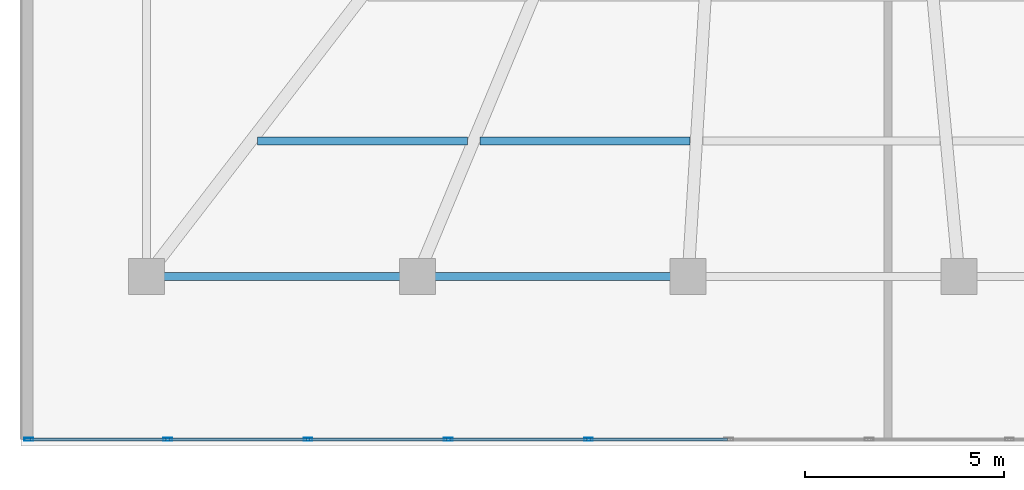
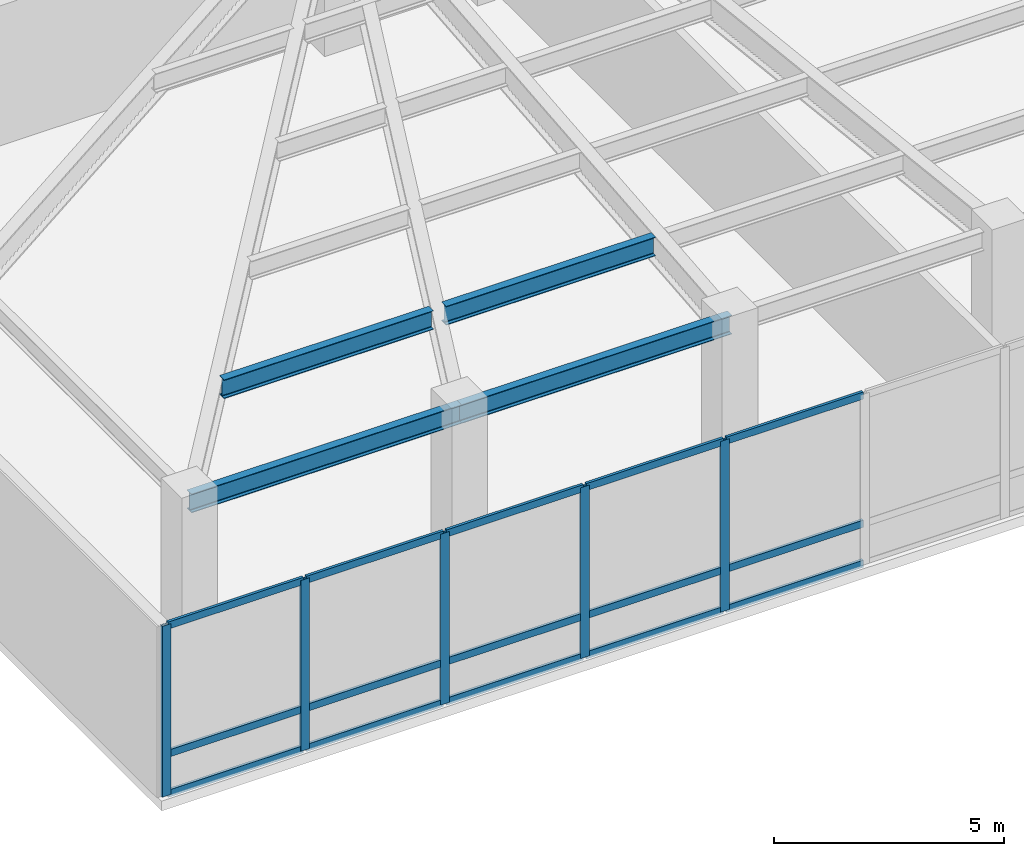
# One storey, part 2 of 19: 20 members, 4 beams, 1 element without a shape of its own.
"""IFC4 building model written with IfcOpenShell, lengths in metres."""

from ifc_helpers import new_model, si_unit, direction, frame, origin, origin_2d, place, context, subcontext, project, spatial, hollow_rectangle, i_section, extrude, material, material_profile, profile_set, type_object, element, aggregate, save


model = new_model("IFC4")

# Units and contexts
model_context = context("Model", 3, precision=1e-05, world=origin(), true_north=direction((0.0, 1.0)))
body_context = subcontext(model_context, "Body", "Model", "MODEL_VIEW")
ifc_project = project(units=[si_unit("LENGTHUNIT", "METRE"), si_unit("AREAUNIT", "SQUARE_METRE"), si_unit("VOLUMEUNIT", "CUBIC_METRE"), si_unit("PLANEANGLEUNIT", "RADIAN"), si_unit("MASSUNIT", "GRAM", prefix="KILO")], contexts=[model_context])

# Site, building, storey
site_placement = place(None, origin())
site = spatial("IfcSite", under=ifc_project, at=site_placement, CompositionType="ELEMENT")
building_placement = place(site_placement, origin())
building = spatial("IfcBuilding", under=site, at=building_placement, Name="Yelkora Congress Tower", CompositionType="ELEMENT")
storey_placement = place(building_placement, frame((0.0, 0.0, 15.60009765625)))
storey = spatial("IfcBuildingStorey", under=building, at=storey_placement, Name="L03", CompositionType="ELEMENT", Elevation=15.60009765625)

# Beams
ifc_material_1 = material(Name="Steel S355J2", Category="steel")
ifc_material_profile_1 = material_profile(ifc_material_1, i_section(OverallWidth=0.199951171875, OverallDepth=0.5, WebThickness=0.01025390625, FlangeThickness=0.01611328125, FilletRadius=0.02099609375, at=origin_2d()), Name="IPE 500")
ifc_profile_set_1 = profile_set([ifc_material_profile_1], Name="Steel S355J2")
beam_type_1 = type_object("IfcBeamType", Name="BM-JOIST-IPE500", PredefinedType="JOIST", material=ifc_profile_set_1)
beam_1_placement = place(storey_placement, frame((7.228759765625, 9.449951171875, 4.289794921875), z_axis=(1.0, 0.0, 0.0), x_axis=(0.0, 1.0, 0.0)))
element("IfcBeam", 1, at=beam_1_placement, inside=storey, type_object=beam_type_1, Name="L03 Composite Floor Joist 1", PredefinedType="JOIST", context=body_context, shape_type="SweptSolid", body=[
    extrude(i_section(OverallWidth=0.199951171875, OverallDepth=0.5, WebThickness=0.01025390625, FlangeThickness=0.01611328125, FilletRadius=0.02099609375, at=origin_2d()), origin(), (0.0, 0.0, 1.0), 5.2646484375),
])
beam_2_placement = place(storey_placement, frame((12.813232421875, 9.449951171875, 4.289794921875), z_axis=(1.0, 0.0, 0.0), x_axis=(0.0, 1.0, 0.0)))
element("IfcBeam", 2, at=beam_2_placement, inside=storey, type_object=beam_type_1, Name="L03 Composite Floor Joist 2", PredefinedType="JOIST", context=body_context, shape_type="SweptSolid", body=[
    extrude(i_section(OverallWidth=0.199951171875, OverallDepth=0.5, WebThickness=0.01025390625, FlangeThickness=0.01611328125, FilletRadius=0.02099609375, at=origin_2d()), origin(), (0.0, 0.0, 1.0), 5.264404296875),
])
ifc_material_profile_2 = material_profile(ifc_material_1, i_section(OverallWidth=0.199951171875, OverallDepth=0.5, WebThickness=0.01025390625, FlangeThickness=0.01611328125, FilletRadius=0.02099609375, at=origin_2d()), Name="IPE 500")
ifc_profile_set_2 = profile_set([ifc_material_profile_2], Name="Steel S355J2")
beam_type_2 = type_object("IfcBeamType", Name="BM-SPAN-IPE500B", PredefinedType="BEAM", material=ifc_profile_set_2)
for number, where, z_axis, x_axis, name in (
    (3, (4.449951171875, 6.050048828125, 4.289794921875), (1.0, 0.0, 0.0), (0.0, 1.0, 0.0), "L03 Perimeter Beam 2"),
    (4, (11.239990234375, 6.050048828125, 4.289794921875), (1.0, 0.0, 0.0), (0.0, 1.0, 0.0), "L03 Perimeter Beam 3"),
):
    element("IfcBeam", number, at=place(storey_placement, frame(where, z_axis=z_axis, x_axis=x_axis)), inside=storey, type_object=beam_type_2, Name=name, PredefinedType="BEAM", context=body_context, shape_type="SweptSolid", body=[
        extrude(i_section(OverallWidth=0.199951171875, OverallDepth=0.5, WebThickness=0.01025390625, FlangeThickness=0.01611328125, FilletRadius=0.02099609375, at=origin_2d()), origin(), (0.0, 0.0, 1.0), 6.7900390625),
    ])

# Curtain wall, members
ifc_material_2 = material(Name="Anodised aluminium and insulated glass", Category="aluminium")
curtain_wall_type = type_object("IfcCurtainWallType", Name="CW-SYS-POD", PredefinedType="NOTDEFINED", material=ifc_material_2)
curtain_wall_placement = place(storey_placement, origin())
curtain_wall = element("IfcCurtainWall", 5, at=curtain_wall_placement, inside=storey, type_object=curtain_wall_type, Name="L03 Podium South Curtain Wall", PredefinedType="NOTDEFINED")
ifc_material_3 = material(Name="Anodised aluminium 6063-T6", Category="aluminium")
ifc_material_profile_3 = material_profile(ifc_material_3, hollow_rectangle(XDim=0.074951171875, YDim=0.219970703125, WallThickness=0.0048828125, at=origin_2d()), Name="ALU 75x220x5")
ifc_profile_set_3 = profile_set([ifc_material_profile_3], Name="Anodised aluminium 6063-T6")
member_type_1 = type_object("IfcMemberType", Name="MEM-ML-POD", PredefinedType="MULLION", material=ifc_profile_set_3)
member_1_placement = place(storey_placement, frame((15.532470703125, 1.9599609375, 0.0), z_axis=(0.0, 0.0, 1.0), x_axis=(0.0, -1.0, 0.0)))
member_1 = element("IfcMember", 6, at=member_1_placement, type_object=member_type_1, Name="CW-POD mullion 18", PredefinedType="MULLION", context=body_context, shape_type="SweptSolid", body=[
    extrude(hollow_rectangle(XDim=0.074951171875, YDim=0.219970703125, WallThickness=0.0048828125, at=origin_2d()), origin(), (0.0, 0.0, 1.0), 4.539794921875),
])
member_2_placement = place(storey_placement, frame((12.014404296875, 1.9599609375, 0.0), z_axis=(0.0, 0.0, 1.0), x_axis=(0.0, -1.0, 0.0)))
member_2 = element("IfcMember", 7, at=member_2_placement, type_object=member_type_1, Name="CW-POD mullion 19", PredefinedType="MULLION", context=body_context, shape_type="SweptSolid", body=[
    extrude(hollow_rectangle(XDim=0.074951171875, YDim=0.219970703125, WallThickness=0.0048828125, at=origin_2d()), origin(), (0.0, 0.0, 1.0), 4.539794921875),
])
member_3_placement = place(storey_placement, frame((8.49609375, 1.9599609375, 0.0), z_axis=(0.0, 0.0, 1.0), x_axis=(0.0, -1.0, 0.0)))
member_3 = element("IfcMember", 8, at=member_3_placement, type_object=member_type_1, Name="CW-POD mullion 20", PredefinedType="MULLION", context=body_context, shape_type="SweptSolid", body=[
    extrude(hollow_rectangle(XDim=0.074951171875, YDim=0.219970703125, WallThickness=0.0048828125, at=origin_2d()), origin(), (0.0, 0.0, 1.0), 4.539794921875),
])
member_4_placement = place(storey_placement, frame((4.97802734375, 1.9599609375, 0.0), z_axis=(0.0, 0.0, 1.0), x_axis=(0.0, -1.0, 0.0)))
member_4 = element("IfcMember", 9, at=member_4_placement, type_object=member_type_1, Name="CW-POD mullion 21", PredefinedType="MULLION", context=body_context, shape_type="SweptSolid", body=[
    extrude(hollow_rectangle(XDim=0.074951171875, YDim=0.219970703125, WallThickness=0.0048828125, at=origin_2d()), origin(), (0.0, 0.0, 1.0), 4.539794921875),
])
member_5_placement = place(storey_placement, frame((1.49755859375, 1.9599609375, 0.0), z_axis=(0.0, 0.0, 1.0), x_axis=(0.0, -1.0, 0.0)))
member_5 = element("IfcMember", 10, at=member_5_placement, type_object=member_type_1, Name="CW-POD mullion 22", PredefinedType="MULLION", context=body_context, shape_type="SweptSolid", body=[
    extrude(hollow_rectangle(XDim=0.074951171875, YDim=0.219970703125, WallThickness=0.0048828125, at=origin_2d()), origin(), (0.0, 0.0, 1.0), 4.539794921875),
])
ifc_material_profile_4 = material_profile(ifc_material_3, hollow_rectangle(XDim=0.070068359375, YDim=0.18994140625, WallThickness=0.00390625, at=origin_2d()), Name="ALU 70x190x4")
ifc_profile_set_4 = profile_set([ifc_material_profile_4], Name="Anodised aluminium 6063-T6")
member_type_2 = type_object("IfcMemberType", Name="MEM-TR-POD", PredefinedType="USERDEFINED", material=ifc_profile_set_4)
member_6_placement = place(storey_placement, frame((19.012939453125, 1.9599609375, 0.034912109375), z_axis=(-1.0, 0.0, 0.0), x_axis=(0.0, -1.0, 0.0)))
member_6 = element("IfcMember", 11, at=member_6_placement, type_object=member_type_2, Name="CW-POD transom 17.1", ObjectType="TRANSOM", PredefinedType="USERDEFINED", context=body_context, shape_type="SweptSolid", body=[
    extrude(hollow_rectangle(XDim=0.070068359375, YDim=0.18994140625, WallThickness=0.00390625, at=origin_2d()), origin(), (0.0, 0.0, 1.0), 3.443115234375),
])
member_7_placement = place(storey_placement, frame((19.012939453125, 1.9599609375, 1.099853515625), z_axis=(-1.0, 0.0, 0.0), x_axis=(0.0, -1.0, 0.0)))
member_7 = element("IfcMember", 12, at=member_7_placement, type_object=member_type_2, Name="CW-POD transom 17.2", ObjectType="TRANSOM", PredefinedType="USERDEFINED", context=body_context, shape_type="SweptSolid", body=[
    extrude(hollow_rectangle(XDim=0.070068359375, YDim=0.18994140625, WallThickness=0.00390625, at=origin_2d()), origin(), (0.0, 0.0, 1.0), 3.443115234375),
])
member_8_placement = place(storey_placement, frame((19.012939453125, 1.9599609375, 4.5048828125), z_axis=(-1.0, 0.0, 0.0), x_axis=(0.0, -1.0, 0.0)))
member_8 = element("IfcMember", 13, at=member_8_placement, type_object=member_type_2, Name="CW-POD transom 17.3", ObjectType="TRANSOM", PredefinedType="USERDEFINED", context=body_context, shape_type="SweptSolid", body=[
    extrude(hollow_rectangle(XDim=0.070068359375, YDim=0.18994140625, WallThickness=0.00390625, at=origin_2d()), origin(), (0.0, 0.0, 1.0), 3.443115234375),
])
member_9_placement = place(storey_placement, frame((15.494873046875, 1.9599609375, 0.034912109375), z_axis=(-1.0, 0.0, 0.0), x_axis=(0.0, -1.0, 0.0)))
member_9 = element("IfcMember", 14, at=member_9_placement, type_object=member_type_2, Name="CW-POD transom 18.1", ObjectType="TRANSOM", PredefinedType="USERDEFINED", context=body_context, shape_type="SweptSolid", body=[
    extrude(hollow_rectangle(XDim=0.070068359375, YDim=0.18994140625, WallThickness=0.00390625, at=origin_2d()), origin(), (0.0, 0.0, 1.0), 3.443115234375),
])
member_10_placement = place(storey_placement, frame((15.494873046875, 1.9599609375, 1.099853515625), z_axis=(-1.0, 0.0, 0.0), x_axis=(0.0, -1.0, 0.0)))
member_10 = element("IfcMember", 15, at=member_10_placement, type_object=member_type_2, Name="CW-POD transom 18.2", ObjectType="TRANSOM", PredefinedType="USERDEFINED", context=body_context, shape_type="SweptSolid", body=[
    extrude(hollow_rectangle(XDim=0.070068359375, YDim=0.18994140625, WallThickness=0.00390625, at=origin_2d()), origin(), (0.0, 0.0, 1.0), 3.443115234375),
])
member_11_placement = place(storey_placement, frame((15.494873046875, 1.9599609375, 4.5048828125), z_axis=(-1.0, 0.0, 0.0), x_axis=(0.0, -1.0, 0.0)))
member_11 = element("IfcMember", 16, at=member_11_placement, type_object=member_type_2, Name="CW-POD transom 18.3", ObjectType="TRANSOM", PredefinedType="USERDEFINED", context=body_context, shape_type="SweptSolid", body=[
    extrude(hollow_rectangle(XDim=0.070068359375, YDim=0.18994140625, WallThickness=0.00390625, at=origin_2d()), origin(), (0.0, 0.0, 1.0), 3.443115234375),
])
member_12_placement = place(storey_placement, frame((11.976806640625, 1.9599609375, 0.034912109375), z_axis=(-1.0, 0.0, 0.0), x_axis=(0.0, -1.0, 0.0)))
member_12 = element("IfcMember", 17, at=member_12_placement, type_object=member_type_2, Name="CW-POD transom 19.1", ObjectType="TRANSOM", PredefinedType="USERDEFINED", context=body_context, shape_type="SweptSolid", body=[
    extrude(hollow_rectangle(XDim=0.070068359375, YDim=0.18994140625, WallThickness=0.00390625, at=origin_2d()), origin(), (0.0, 0.0, 1.0), 3.443115234375),
])
member_13_placement = place(storey_placement, frame((11.976806640625, 1.9599609375, 1.099853515625), z_axis=(-1.0, 0.0, 0.0), x_axis=(0.0, -1.0, 0.0)))
member_13 = element("IfcMember", 18, at=member_13_placement, type_object=member_type_2, Name="CW-POD transom 19.2", ObjectType="TRANSOM", PredefinedType="USERDEFINED", context=body_context, shape_type="SweptSolid", body=[
    extrude(hollow_rectangle(XDim=0.070068359375, YDim=0.18994140625, WallThickness=0.00390625, at=origin_2d()), origin(), (0.0, 0.0, 1.0), 3.443115234375),
])
member_14_placement = place(storey_placement, frame((11.976806640625, 1.9599609375, 4.5048828125), z_axis=(-1.0, 0.0, 0.0), x_axis=(0.0, -1.0, 0.0)))
member_14 = element("IfcMember", 19, at=member_14_placement, type_object=member_type_2, Name="CW-POD transom 19.3", ObjectType="TRANSOM", PredefinedType="USERDEFINED", context=body_context, shape_type="SweptSolid", body=[
    extrude(hollow_rectangle(XDim=0.070068359375, YDim=0.18994140625, WallThickness=0.00390625, at=origin_2d()), origin(), (0.0, 0.0, 1.0), 3.443115234375),
])
member_15_placement = place(storey_placement, frame((8.458740234375, 1.9599609375, 0.034912109375), z_axis=(-1.0, 0.0, 0.0), x_axis=(0.0, -1.0, 0.0)))
member_15 = element("IfcMember", 20, at=member_15_placement, type_object=member_type_2, Name="CW-POD transom 20.1", ObjectType="TRANSOM", PredefinedType="USERDEFINED", context=body_context, shape_type="SweptSolid", body=[
    extrude(hollow_rectangle(XDim=0.070068359375, YDim=0.18994140625, WallThickness=0.00390625, at=origin_2d()), origin(), (0.0, 0.0, 1.0), 3.443115234375),
])
member_16_placement = place(storey_placement, frame((8.458740234375, 1.9599609375, 1.099853515625), z_axis=(-1.0, 0.0, 0.0), x_axis=(0.0, -1.0, 0.0)))
member_16 = element("IfcMember", 21, at=member_16_placement, type_object=member_type_2, Name="CW-POD transom 20.2", ObjectType="TRANSOM", PredefinedType="USERDEFINED", context=body_context, shape_type="SweptSolid", body=[
    extrude(hollow_rectangle(XDim=0.070068359375, YDim=0.18994140625, WallThickness=0.00390625, at=origin_2d()), origin(), (0.0, 0.0, 1.0), 3.443115234375),
])
member_17_placement = place(storey_placement, frame((8.458740234375, 1.9599609375, 4.5048828125), z_axis=(-1.0, 0.0, 0.0), x_axis=(0.0, -1.0, 0.0)))
member_17 = element("IfcMember", 22, at=member_17_placement, type_object=member_type_2, Name="CW-POD transom 20.3", ObjectType="TRANSOM", PredefinedType="USERDEFINED", context=body_context, shape_type="SweptSolid", body=[
    extrude(hollow_rectangle(XDim=0.070068359375, YDim=0.18994140625, WallThickness=0.00390625, at=origin_2d()), origin(), (0.0, 0.0, 1.0), 3.443115234375),
])
member_18_placement = place(storey_placement, frame((4.940673828125, 1.9599609375, 0.034912109375), z_axis=(-1.0, 0.0, 0.0), x_axis=(0.0, -1.0, 0.0)))
member_18 = element("IfcMember", 23, at=member_18_placement, type_object=member_type_2, Name="CW-POD transom 21.1", ObjectType="TRANSOM", PredefinedType="USERDEFINED", context=body_context, shape_type="SweptSolid", body=[
    extrude(hollow_rectangle(XDim=0.070068359375, YDim=0.18994140625, WallThickness=0.00390625, at=origin_2d()), origin(), (0.0, 0.0, 1.0), 3.40576171875),
])
member_19_placement = place(storey_placement, frame((4.940673828125, 1.9599609375, 1.099853515625), z_axis=(-1.0, 0.0, 0.0), x_axis=(0.0, -1.0, 0.0)))
member_19 = element("IfcMember", 24, at=member_19_placement, type_object=member_type_2, Name="CW-POD transom 21.2", ObjectType="TRANSOM", PredefinedType="USERDEFINED", context=body_context, shape_type="SweptSolid", body=[
    extrude(hollow_rectangle(XDim=0.070068359375, YDim=0.18994140625, WallThickness=0.00390625, at=origin_2d()), origin(), (0.0, 0.0, 1.0), 3.40576171875),
])
member_20_placement = place(storey_placement, frame((4.940673828125, 1.9599609375, 4.5048828125), z_axis=(-1.0, 0.0, 0.0), x_axis=(0.0, -1.0, 0.0)))
member_20 = element("IfcMember", 25, at=member_20_placement, type_object=member_type_2, Name="CW-POD transom 21.3", ObjectType="TRANSOM", PredefinedType="USERDEFINED", context=body_context, shape_type="SweptSolid", body=[
    extrude(hollow_rectangle(XDim=0.070068359375, YDim=0.18994140625, WallThickness=0.00390625, at=origin_2d()), origin(), (0.0, 0.0, 1.0), 3.40576171875),
])
aggregate(curtain_wall, [member_1, member_2, member_3, member_4, member_5, member_6, member_7, member_8, member_9, member_10, member_11, member_12, member_13, member_14, member_15, member_16, member_17, member_18, member_19, member_20])

save(model, "model.ifc")
